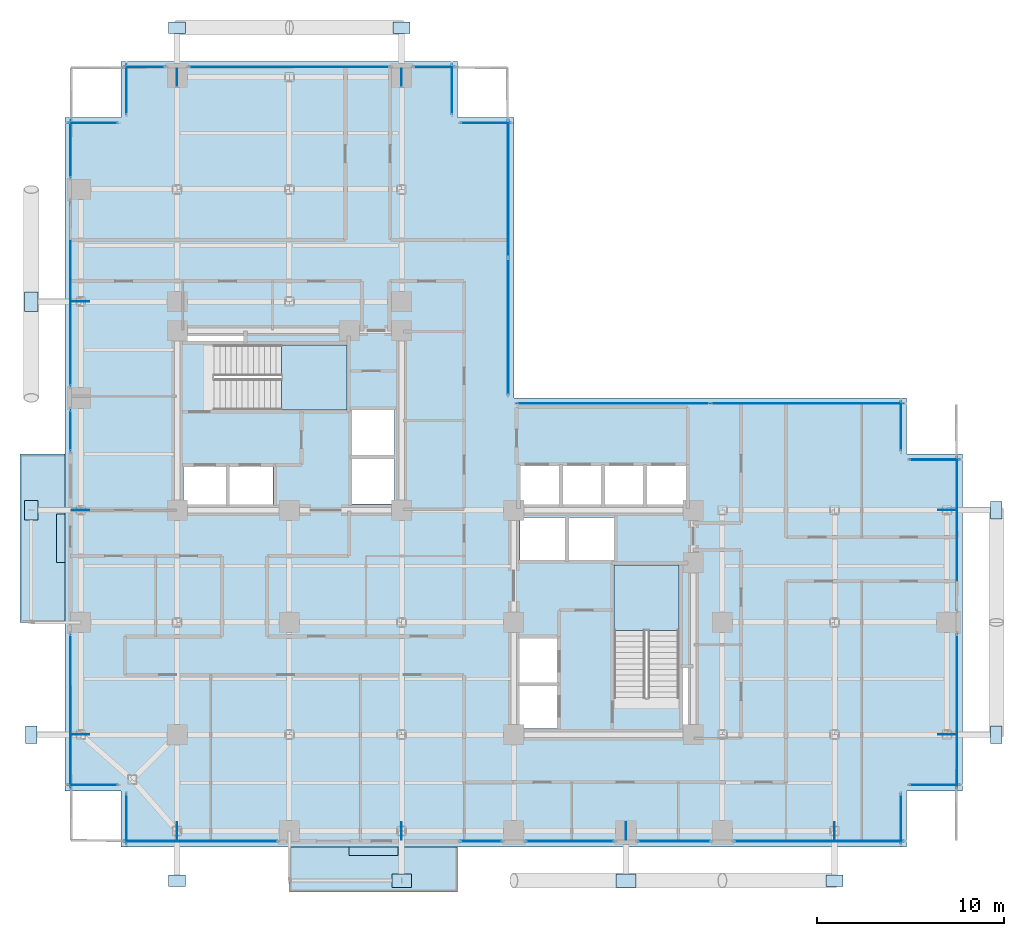
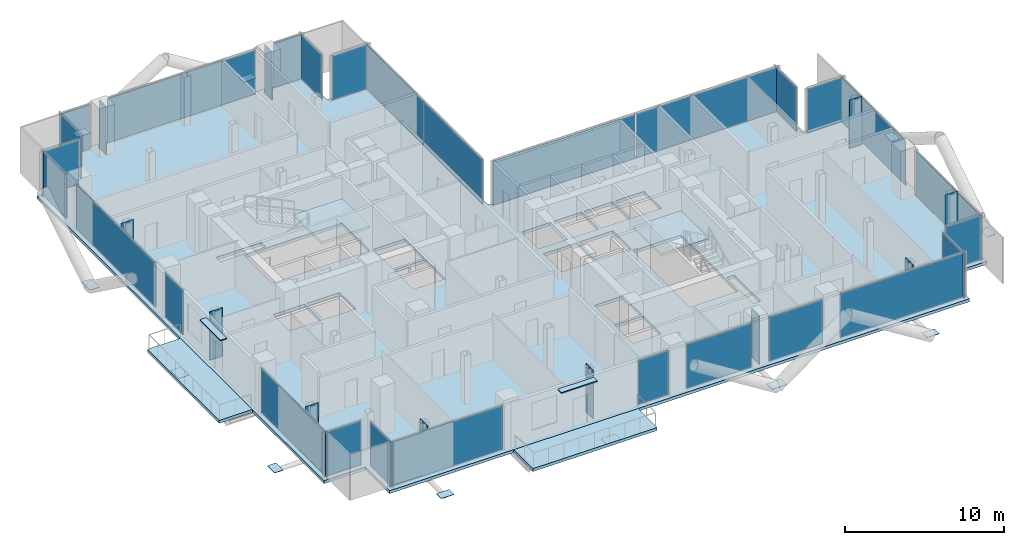
# One storey, part 17 of 24: 52 plates, 5 slabs, 28 elements without a shape of their own.
"""IFC4 building model written with IfcOpenShell, lengths in metres."""

from ifc_helpers import new_model, si_unit, direction, frame, origin, origin_2d, place, context, subcontext, project, spatial, polyline, rectangle, outline, extrude, material, layer, layer_set, type_object, element, aggregate, save


model = new_model("IFC4")

# Units and contexts
model_context = context("Model", 3, precision=1e-05, world=origin(), true_north=direction((0.0, 1.0)))
body_context = subcontext(model_context, "Body", "Model", "MODEL_VIEW")
ifc_project = project(units=[si_unit("LENGTHUNIT", "METRE"), si_unit("AREAUNIT", "SQUARE_METRE"), si_unit("VOLUMEUNIT", "CUBIC_METRE"), si_unit("PLANEANGLEUNIT", "RADIAN"), si_unit("MASSUNIT", "GRAM", prefix="KILO"), si_unit("THERMODYNAMICTEMPERATUREUNIT", "KELVIN"), si_unit("POWERUNIT", "WATT")], contexts=[model_context])

# Site, building, storey
site_placement = place(None, origin())
site = spatial("IfcSite", under=ifc_project, at=site_placement, CompositionType="ELEMENT")
building_placement = place(site_placement, origin())
building = spatial("IfcBuilding", under=site, at=building_placement, Name="Svarakhadi Broadcast Tower", CompositionType="ELEMENT")
storey_placement = place(building_placement, frame((0.0, 0.0, 141.89990234375)))
storey = spatial("IfcBuildingStorey", under=building, at=storey_placement, Name="L34", CompositionType="ELEMENT", Elevation=141.89990234375)

# Curtain wall, plate
ifc_material_1 = material(Name="Anodised Bronze Aluminium AA 6063-T6", Category="aluminium")
ifc_layer_1 = layer(ifc_material_1, 0.199951171875)
ifc_layer_set_1 = layer_set([ifc_layer_1], Name="Anodised Bronze Aluminium AA 6063-T6")
curtain_wall_type = type_object("IfcCurtainWallType", Name="CW_Sys_03", PredefinedType="NOTDEFINED", material=ifc_layer_set_1)
curtain_wall_1_placement = place(storey_placement, origin())
curtain_wall_1 = element("IfcCurtainWall", 1, at=curtain_wall_1_placement, inside=storey, type_object=curtain_wall_type, Name="L34 Unitised Facade Curtain Wall 01", PredefinedType="NOTDEFINED")
ifc_material_2 = material(Name="Double Low-E Laminated Acoustic Glass IGU 36 mm", Category="glass")
ifc_layer_2 = layer(ifc_material_2, 0.035888671875)
ifc_layer_set_2 = layer_set([ifc_layer_2], Name="Double Low-E Laminated Acoustic Glass IGU 36 mm")
plate_type_1 = type_object("IfcPlateType", Name="CW_Sys_03_Pnl", PredefinedType="CURTAIN_PANEL", material=ifc_layer_set_2)
plate_1_placement = place(storey_placement, frame((1.5, 3.300048828125, 0.0703125), z_axis=(0.0, 0.0, 1.0), x_axis=(-1.0, 0.0, 0.0)))
plate_1 = element("IfcPlate", 2, at=plate_1_placement, type_object=plate_type_1, Name="CW-03 panel 1.1", PredefinedType="CURTAIN_PANEL", context=body_context, shape_type="SweptSolid", body=[
    extrude(rectangle(XDim=2.669921875, YDim=0.035888671875, at=origin_2d()), origin(), (0.0, 0.0, 1.0), 3.385009765625),
])
aggregate(curtain_wall_1, [plate_1])

curtain_wall_2_placement = place(storey_placement, origin())
curtain_wall_2 = element("IfcCurtainWall", 3, at=curtain_wall_2_placement, inside=storey, type_object=curtain_wall_type, Name="L34 West Curtain Wall 02", PredefinedType="NOTDEFINED")
plate_2_placement = place(storey_placement, frame((0.300048828125, 7.260009765625, 0.0703125), z_axis=(0.0, 0.0, 1.0), x_axis=(0.0, 1.0, 0.0)))
plate_2 = element("IfcPlate", 4, at=plate_2_placement, type_object=plate_type_1, Name="CW-03 panel 1.1", PredefinedType="CURTAIN_PANEL", context=body_context, shape_type="SweptSolid", body=[
    extrude(rectangle(XDim=8.18994140625, YDim=0.035888671875, at=origin_2d()), origin(), (0.0, 0.0, 1.0), 3.385009765625),
])
aggregate(curtain_wall_2, [plate_2])

curtain_wall_3_placement = place(storey_placement, origin())
curtain_wall_3 = element("IfcCurtainWall", 5, at=curtain_wall_3_placement, inside=storey, type_object=curtain_wall_type, Name="L34 West Curtain Wall 03 Bay 1", PredefinedType="NOTDEFINED")
plate_3_placement = place(storey_placement, frame((0.300048828125, 22.260009765625, 0.0703125), z_axis=(0.0, 0.0, 1.0), x_axis=(0.0, 1.0, 0.0)))
plate_3 = element("IfcPlate", 6, at=plate_3_placement, type_object=plate_type_1, Name="CW-03 panel 1.1", PredefinedType="CURTAIN_PANEL", context=body_context, shape_type="SweptSolid", body=[
    extrude(rectangle(XDim=2.18994140625, YDim=0.035888671875, at=origin_2d()), origin(), (0.0, 0.0, 1.0), 3.385009765625),
])
aggregate(curtain_wall_3, [plate_3])

curtain_wall_4_placement = place(storey_placement, origin())
curtain_wall_4 = element("IfcCurtainWall", 7, at=curtain_wall_4_placement, inside=storey, type_object=curtain_wall_type, Name="L34 West Curtain Wall 03 Bay 2", PredefinedType="NOTDEFINED")
plate_4_placement = place(storey_placement, frame((0.300048828125, 29.574951171875, 0.0703125), z_axis=(0.0, 0.0, 1.0), x_axis=(0.0, 1.0, 0.0)))
plate_4 = element("IfcPlate", 8, at=plate_4_placement, type_object=plate_type_1, Name="CW-03 panel 1.1", PredefinedType="CURTAIN_PANEL", context=body_context, shape_type="SweptSolid", body=[
    extrude(rectangle(XDim=9.860107421875, YDim=0.035888671875, at=origin_2d()), origin(), (0.0, 0.0, 1.0), 3.385009765625),
])
aggregate(curtain_wall_4, [plate_4])

curtain_wall_5_placement = place(storey_placement, origin())
curtain_wall_5 = element("IfcCurtainWall", 9, at=curtain_wall_5_placement, inside=storey, type_object=curtain_wall_type, Name="L34 West Curtain Wall 03 Bay 3", PredefinedType="NOTDEFINED")
plate_5_placement = place(storey_placement, frame((0.300048828125, 37.31494140625, 0.0703125), z_axis=(0.0, 0.0, 1.0), x_axis=(0.0, 1.0, 0.0)))
plate_5 = element("IfcPlate", 10, at=plate_5_placement, type_object=plate_type_1, Name="CW-03 panel 1.1", PredefinedType="CURTAIN_PANEL", context=body_context, shape_type="SweptSolid", body=[
    extrude(rectangle(XDim=3.0400390625, YDim=0.035888671875, at=origin_2d()), origin(), (0.0, 0.0, 1.0), 3.385009765625),
])
aggregate(curtain_wall_5, [plate_5])

curtain_wall_6_placement = place(storey_placement, origin())
curtain_wall_6 = element("IfcCurtainWall", 11, at=curtain_wall_6_placement, inside=storey, type_object=curtain_wall_type, Name="L34 Unitised Facade Curtain Wall 04", PredefinedType="NOTDEFINED")
plate_6_placement = place(storey_placement, frame((1.5, 38.699951171875, 0.0703125), z_axis=(0.0, 0.0, 1.0), x_axis=(1.0, 0.0, 0.0)))
plate_6 = element("IfcPlate", 12, at=plate_6_placement, type_object=plate_type_1, Name="CW-03 panel 1.1", PredefinedType="CURTAIN_PANEL", context=body_context, shape_type="SweptSolid", body=[
    extrude(rectangle(XDim=2.669921875, YDim=0.035888671875, at=origin_2d()), origin(), (0.0, 0.0, 1.0), 3.385009765625),
])
aggregate(curtain_wall_6, [plate_6])

curtain_wall_7_placement = place(storey_placement, origin())
curtain_wall_7 = element("IfcCurtainWall", 13, at=curtain_wall_7_placement, inside=storey, type_object=curtain_wall_type, Name="L34 Unitised Facade Curtain Wall 05", PredefinedType="NOTDEFINED")
plate_7_placement = place(storey_placement, frame((3.300048828125, 40.5, 0.0703125), z_axis=(0.0, 0.0, 1.0), x_axis=(0.0, 1.0, 0.0)))
plate_7 = element("IfcPlate", 14, at=plate_7_placement, type_object=plate_type_1, Name="CW-03 panel 1.1", PredefinedType="CURTAIN_PANEL", context=body_context, shape_type="SweptSolid", body=[
    extrude(rectangle(XDim=2.669921875, YDim=0.035888671875, at=origin_2d()), origin(), (0.0, 0.0, 1.0), 3.385009765625),
])
aggregate(curtain_wall_7, [plate_7])

curtain_wall_8_placement = place(storey_placement, origin())
curtain_wall_8 = element("IfcCurtainWall", 15, at=curtain_wall_8_placement, inside=storey, type_object=curtain_wall_type, Name="L34 Unitised Facade Curtain Wall 06 Bay 1", PredefinedType="NOTDEFINED")
plate_8_placement = place(storey_placement, frame((4.260009765625, 41.699951171875, 0.0703125), z_axis=(0.0, 0.0, 1.0), x_axis=(1.0, 0.0, 0.0)))
plate_8 = element("IfcPlate", 16, at=plate_8_placement, type_object=plate_type_1, Name="CW-03 panel 1.1", PredefinedType="CURTAIN_PANEL", context=body_context, shape_type="SweptSolid", body=[
    extrude(rectangle(XDim=2.18994140625, YDim=0.035888671875, at=origin_2d()), origin(), (0.0, 0.0, 1.0), 3.385009765625),
])
aggregate(curtain_wall_8, [plate_8])

curtain_wall_9_placement = place(storey_placement, origin())
curtain_wall_9 = element("IfcCurtainWall", 17, at=curtain_wall_9_placement, inside=storey, type_object=curtain_wall_type, Name="L34 Unitised Facade Curtain Wall 06 Bay 2", PredefinedType="NOTDEFINED")
plate_9_placement = place(storey_placement, frame((12.0, 41.699951171875, 0.0703125), z_axis=(0.0, 0.0, 1.0), x_axis=(1.0, 0.0, 0.0)))
plate_9 = element("IfcPlate", 18, at=plate_9_placement, type_object=plate_type_1, Name="CW-03 panel 1.1", PredefinedType="CURTAIN_PANEL", context=body_context, shape_type="SweptSolid", body=[
    extrude(rectangle(XDim=10.7099609375, YDim=0.035888671875, at=origin_2d()), origin(), (0.0, 0.0, 1.0), 3.385009765625),
])
aggregate(curtain_wall_9, [plate_9])

curtain_wall_10_placement = place(storey_placement, origin())
curtain_wall_10 = element("IfcCurtainWall", 19, at=curtain_wall_10_placement, inside=storey, type_object=curtain_wall_type, Name="L34 Unitised Facade Curtain Wall 06 Bay 3", PredefinedType="NOTDEFINED")
plate_10_placement = place(storey_placement, frame((19.739990234375, 41.699951171875, 0.0703125), z_axis=(0.0, 0.0, 1.0), x_axis=(1.0, 0.0, 0.0)))
plate_10 = element("IfcPlate", 20, at=plate_10_placement, type_object=plate_type_1, Name="CW-03 panel 1.1", PredefinedType="CURTAIN_PANEL", context=body_context, shape_type="SweptSolid", body=[
    extrude(rectangle(XDim=2.18994140625, YDim=0.035888671875, at=origin_2d()), origin(), (0.0, 0.0, 1.0), 3.385009765625),
])
aggregate(curtain_wall_10, [plate_10])

curtain_wall_11_placement = place(storey_placement, origin())
curtain_wall_11 = element("IfcCurtainWall", 21, at=curtain_wall_11_placement, inside=storey, type_object=curtain_wall_type, Name="L34 Unitised Facade Curtain Wall 07", PredefinedType="NOTDEFINED")
plate_11_placement = place(storey_placement, frame((20.699951171875, 40.5, 0.0703125), z_axis=(0.0, 0.0, 1.0), x_axis=(0.0, -1.0, 0.0)))
plate_11 = element("IfcPlate", 22, at=plate_11_placement, type_object=plate_type_1, Name="CW-03 panel 1.1", PredefinedType="CURTAIN_PANEL", context=body_context, shape_type="SweptSolid", body=[
    extrude(rectangle(XDim=2.669921875, YDim=0.035888671875, at=origin_2d()), origin(), (0.0, 0.0, 1.0), 3.385009765625),
])
aggregate(curtain_wall_11, [plate_11])

curtain_wall_12_placement = place(storey_placement, origin())
curtain_wall_12 = element("IfcCurtainWall", 23, at=curtain_wall_12_placement, inside=storey, type_object=curtain_wall_type, Name="L34 Unitised Facade Curtain Wall 08", PredefinedType="NOTDEFINED")
plate_12_placement = place(storey_placement, frame((22.5, 38.699951171875, 0.0703125), z_axis=(0.0, 0.0, 1.0), x_axis=(1.0, 0.0, 0.0)))
plate_12 = element("IfcPlate", 24, at=plate_12_placement, type_object=plate_type_1, Name="CW-03 panel 1.1", PredefinedType="CURTAIN_PANEL", context=body_context, shape_type="SweptSolid", body=[
    extrude(rectangle(XDim=2.669921875, YDim=0.035888671875, at=origin_2d()), origin(), (0.0, 0.0, 1.0), 3.385009765625),
])
aggregate(curtain_wall_12, [plate_12])

# Curtain wall, plates
curtain_wall_13_placement = place(storey_placement, origin())
curtain_wall_13 = element("IfcCurtainWall", 25, at=curtain_wall_13_placement, inside=storey, type_object=curtain_wall_type, Name="L34 Unitised Facade Curtain Wall 09", PredefinedType="NOTDEFINED")
plate_13_placement = place(storey_placement, frame((23.699951171875, 35.186279296875, 0.0703125), z_axis=(0.0, 0.0, 1.0), x_axis=(0.0, -1.0, 0.0)))
plate_13 = element("IfcPlate", 26, at=plate_13_placement, type_object=plate_type_1, Name="CW-03 panel 1.1", PredefinedType="CURTAIN_PANEL", context=body_context, shape_type="SweptSolid", body=[
    extrude(rectangle(XDim=7.297607421875, YDim=0.035888671875, at=origin_2d()), origin(), (0.0, 0.0, 1.0), 3.385009765625),
])
plate_14_placement = place(storey_placement, frame((23.699951171875, 27.813720703125, 0.0703125), z_axis=(0.0, 0.0, 1.0), x_axis=(0.0, -1.0, 0.0)))
plate_14 = element("IfcPlate", 27, at=plate_14_placement, type_object=plate_type_1, Name="CW-03 panel 2.1", PredefinedType="CURTAIN_PANEL", context=body_context, shape_type="SweptSolid", body=[
    extrude(rectangle(XDim=7.297607421875, YDim=0.035888671875, at=origin_2d()), origin(), (0.0, 0.0, 1.0), 3.385009765625),
])
aggregate(curtain_wall_13, [plate_13, plate_14])

curtain_wall_14_placement = place(storey_placement, origin())
curtain_wall_14 = element("IfcCurtainWall", 28, at=curtain_wall_14_placement, inside=storey, type_object=curtain_wall_type, Name="L34 Unitised Facade Curtain Wall 10", PredefinedType="NOTDEFINED")
plate_15_placement = place(storey_placement, frame((29.313720703125, 23.699951171875, 0.0703125), z_axis=(0.0, 0.0, 1.0), x_axis=(1.0, 0.0, 0.0)))
plate_15 = element("IfcPlate", 29, at=plate_15_placement, type_object=plate_type_1, Name="CW-03 panel 1.1", PredefinedType="CURTAIN_PANEL", context=body_context, shape_type="SweptSolid", body=[
    extrude(rectangle(XDim=10.297607421875, YDim=0.035888671875, at=origin_2d()), origin(), (0.0, 0.0, 1.0), 3.385009765625),
])
plate_16_placement = place(storey_placement, frame((39.686279296875, 23.699951171875, 0.0703125), z_axis=(0.0, 0.0, 1.0), x_axis=(1.0, 0.0, 0.0)))
plate_16 = element("IfcPlate", 30, at=plate_16_placement, type_object=plate_type_1, Name="CW-03 panel 2.1", PredefinedType="CURTAIN_PANEL", context=body_context, shape_type="SweptSolid", body=[
    extrude(rectangle(XDim=10.297607421875, YDim=0.035888671875, at=origin_2d()), origin(), (0.0, 0.0, 1.0), 3.385009765625),
])
aggregate(curtain_wall_14, [plate_15, plate_16])

# Curtain wall, plate
curtain_wall_15_placement = place(storey_placement, origin())
curtain_wall_15 = element("IfcCurtainWall", 31, at=curtain_wall_15_placement, inside=storey, type_object=curtain_wall_type, Name="L34 Unitised Facade Curtain Wall 11", PredefinedType="NOTDEFINED")
plate_17_placement = place(storey_placement, frame((44.699951171875, 22.5, 0.0703125), z_axis=(0.0, 0.0, 1.0), x_axis=(0.0, -1.0, 0.0)))
plate_17 = element("IfcPlate", 32, at=plate_17_placement, type_object=plate_type_1, Name="CW-03 panel 1.1", PredefinedType="CURTAIN_PANEL", context=body_context, shape_type="SweptSolid", body=[
    extrude(rectangle(XDim=2.669921875, YDim=0.035888671875, at=origin_2d()), origin(), (0.0, 0.0, 1.0), 3.385009765625),
])
aggregate(curtain_wall_15, [plate_17])

curtain_wall_16_placement = place(storey_placement, origin())
curtain_wall_16 = element("IfcCurtainWall", 33, at=curtain_wall_16_placement, inside=storey, type_object=curtain_wall_type, Name="L34 Unitised Facade Curtain Wall 12", PredefinedType="NOTDEFINED")
plate_18_placement = place(storey_placement, frame((46.5, 20.699951171875, 0.0703125), z_axis=(0.0, 0.0, 1.0), x_axis=(1.0, 0.0, 0.0)))
plate_18 = element("IfcPlate", 34, at=plate_18_placement, type_object=plate_type_1, Name="CW-03 panel 1.1", PredefinedType="CURTAIN_PANEL", context=body_context, shape_type="SweptSolid", body=[
    extrude(rectangle(XDim=2.669921875, YDim=0.035888671875, at=origin_2d()), origin(), (0.0, 0.0, 1.0), 3.385009765625),
])
aggregate(curtain_wall_16, [plate_18])

curtain_wall_17_placement = place(storey_placement, origin())
curtain_wall_17 = element("IfcCurtainWall", 35, at=curtain_wall_17_placement, inside=storey, type_object=curtain_wall_type, Name="L34 Unitised Facade Curtain Wall 13 Bay 1", PredefinedType="NOTDEFINED")
plate_19_placement = place(storey_placement, frame((47.699951171875, 16.739990234375, 0.0703125), z_axis=(0.0, 0.0, 1.0), x_axis=(0.0, -1.0, 0.0)))
plate_19 = element("IfcPlate", 36, at=plate_19_placement, type_object=plate_type_1, Name="CW-03 panel 1.1", PredefinedType="CURTAIN_PANEL", context=body_context, shape_type="SweptSolid", body=[
    extrude(rectangle(XDim=8.18994140625, YDim=0.035888671875, at=origin_2d()), origin(), (0.0, 0.0, 1.0), 3.385009765625),
])
aggregate(curtain_wall_17, [plate_19])

curtain_wall_18_placement = place(storey_placement, origin())
curtain_wall_18 = element("IfcCurtainWall", 37, at=curtain_wall_18_placement, inside=storey, type_object=curtain_wall_type, Name="L34 Unitised Facade Curtain Wall 13 Bay 2", PredefinedType="NOTDEFINED")
plate_20_placement = place(storey_placement, frame((47.699951171875, 7.260009765625, 0.0703125), z_axis=(0.0, 0.0, 1.0), x_axis=(0.0, -1.0, 0.0)))
plate_20 = element("IfcPlate", 38, at=plate_20_placement, type_object=plate_type_1, Name="CW-03 panel 1.1", PredefinedType="CURTAIN_PANEL", context=body_context, shape_type="SweptSolid", body=[
    extrude(rectangle(XDim=8.18994140625, YDim=0.035888671875, at=origin_2d()), origin(), (0.0, 0.0, 1.0), 3.385009765625),
])
aggregate(curtain_wall_18, [plate_20])

curtain_wall_19_placement = place(storey_placement, origin())
curtain_wall_19 = element("IfcCurtainWall", 39, at=curtain_wall_19_placement, inside=storey, type_object=curtain_wall_type, Name="L34 Unitised Facade Curtain Wall 14", PredefinedType="NOTDEFINED")
plate_21_placement = place(storey_placement, frame((46.5, 3.300048828125, 0.0703125), z_axis=(0.0, 0.0, 1.0), x_axis=(-1.0, 0.0, 0.0)))
plate_21 = element("IfcPlate", 40, at=plate_21_placement, type_object=plate_type_1, Name="CW-03 panel 1.1", PredefinedType="CURTAIN_PANEL", context=body_context, shape_type="SweptSolid", body=[
    extrude(rectangle(XDim=2.669921875, YDim=0.035888671875, at=origin_2d()), origin(), (0.0, 0.0, 1.0), 3.385009765625),
])
aggregate(curtain_wall_19, [plate_21])

curtain_wall_20_placement = place(storey_placement, origin())
curtain_wall_20 = element("IfcCurtainWall", 41, at=curtain_wall_20_placement, inside=storey, type_object=curtain_wall_type, Name="L34 Unitised Facade Curtain Wall 15", PredefinedType="NOTDEFINED")
plate_22_placement = place(storey_placement, frame((44.699951171875, 1.5, 0.0703125), z_axis=(0.0, 0.0, 1.0), x_axis=(0.0, -1.0, 0.0)))
plate_22 = element("IfcPlate", 42, at=plate_22_placement, type_object=plate_type_1, Name="CW-03 panel 1.1", PredefinedType="CURTAIN_PANEL", context=body_context, shape_type="SweptSolid", body=[
    extrude(rectangle(XDim=2.669921875, YDim=0.035888671875, at=origin_2d()), origin(), (0.0, 0.0, 1.0), 3.385009765625),
])
aggregate(curtain_wall_20, [plate_22])

curtain_wall_21_placement = place(storey_placement, origin())
curtain_wall_21 = element("IfcCurtainWall", 43, at=curtain_wall_21_placement, inside=storey, type_object=curtain_wall_type, Name="L34 South Curtain Wall 16 Bay 1", PredefinedType="NOTDEFINED")
plate_23_placement = place(storey_placement, frame((40.31494140625, 0.300048828125, 0.0703125), z_axis=(0.0, 0.0, 1.0), x_axis=(-1.0, 0.0, 0.0)))
plate_23 = element("IfcPlate", 44, at=plate_23_placement, type_object=plate_type_1, Name="CW-03 panel 1.1", PredefinedType="CURTAIN_PANEL", context=body_context, shape_type="SweptSolid", body=[
    extrude(rectangle(XDim=9.0400390625, YDim=0.035888671875, at=origin_2d()), origin(), (0.0, 0.0, 1.0), 3.385009765625),
])
aggregate(curtain_wall_21, [plate_23])

curtain_wall_22_placement = place(storey_placement, origin())
curtain_wall_22 = element("IfcCurtainWall", 45, at=curtain_wall_22_placement, inside=storey, type_object=curtain_wall_type, Name="L34 South Curtain Wall 16 Bay 2", PredefinedType="NOTDEFINED")
plate_24_placement = place(storey_placement, frame((32.574951171875, 0.300048828125, 0.0703125), z_axis=(0.0, 0.0, 1.0), x_axis=(-1.0, 0.0, 0.0)))
plate_24 = element("IfcPlate", 46, at=plate_24_placement, type_object=plate_type_1, Name="CW-03 panel 1.1", PredefinedType="CURTAIN_PANEL", context=body_context, shape_type="SweptSolid", body=[
    extrude(rectangle(XDim=3.860107421875, YDim=0.035888671875, at=origin_2d()), origin(), (0.0, 0.0, 1.0), 3.385009765625),
])
aggregate(curtain_wall_22, [plate_24])

curtain_wall_23_placement = place(storey_placement, origin())
curtain_wall_23 = element("IfcCurtainWall", 47, at=curtain_wall_23_placement, inside=storey, type_object=curtain_wall_type, Name="L34 South Curtain Wall 16 Bay 3", PredefinedType="NOTDEFINED")
plate_25_placement = place(storey_placement, frame((27.0, 0.300048828125, 0.0703125), z_axis=(0.0, 0.0, 1.0), x_axis=(-1.0, 0.0, 0.0)))
plate_25 = element("IfcPlate", 48, at=plate_25_placement, type_object=plate_type_1, Name="CW-03 panel 1.1", PredefinedType="CURTAIN_PANEL", context=body_context, shape_type="SweptSolid", body=[
    extrude(rectangle(XDim=4.7099609375, YDim=0.035888671875, at=origin_2d()), origin(), (0.0, 0.0, 1.0), 3.385009765625),
])
aggregate(curtain_wall_23, [plate_25])

curtain_wall_24_placement = place(storey_placement, origin())
curtain_wall_24 = element("IfcCurtainWall", 49, at=curtain_wall_24_placement, inside=storey, type_object=curtain_wall_type, Name="L34 South Curtain Wall 16 Bay 4", PredefinedType="NOTDEFINED")
plate_26_placement = place(storey_placement, frame((22.260009765625, 0.300048828125, 0.0703125), z_axis=(0.0, 0.0, 1.0), x_axis=(-1.0, 0.0, 0.0)))
plate_26 = element("IfcPlate", 50, at=plate_26_placement, type_object=plate_type_1, Name="CW-03 panel 1.1", PredefinedType="CURTAIN_PANEL", context=body_context, shape_type="SweptSolid", body=[
    extrude(rectangle(XDim=2.18994140625, YDim=0.035888671875, at=origin_2d()), origin(), (0.0, 0.0, 1.0), 3.385009765625),
])
aggregate(curtain_wall_24, [plate_26])

curtain_wall_25_placement = place(storey_placement, origin())
curtain_wall_25 = element("IfcCurtainWall", 51, at=curtain_wall_25_placement, inside=storey, type_object=curtain_wall_type, Name="L34 South Curtain Wall 17", PredefinedType="NOTDEFINED")
plate_27_placement = place(storey_placement, frame((7.260009765625, 0.300048828125, 0.0703125), z_axis=(0.0, 0.0, 1.0), x_axis=(-1.0, 0.0, 0.0)))
plate_27 = element("IfcPlate", 52, at=plate_27_placement, type_object=plate_type_1, Name="CW-03 panel 1.1", PredefinedType="CURTAIN_PANEL", context=body_context, shape_type="SweptSolid", body=[
    extrude(rectangle(XDim=8.18994140625, YDim=0.035888671875, at=origin_2d()), origin(), (0.0, 0.0, 1.0), 3.385009765625),
])
aggregate(curtain_wall_25, [plate_27])

curtain_wall_26_placement = place(storey_placement, origin())
curtain_wall_26 = element("IfcCurtainWall", 53, at=curtain_wall_26_placement, inside=storey, type_object=curtain_wall_type, Name="L34 Unitised Facade Curtain Wall 18", PredefinedType="NOTDEFINED")
plate_28_placement = place(storey_placement, frame((3.300048828125, 1.5, 0.0703125), z_axis=(0.0, 0.0, 1.0), x_axis=(0.0, 1.0, 0.0)))
plate_28 = element("IfcPlate", 54, at=plate_28_placement, type_object=plate_type_1, Name="CW-03 panel 1.1", PredefinedType="CURTAIN_PANEL", context=body_context, shape_type="SweptSolid", body=[
    extrude(rectangle(XDim=2.669921875, YDim=0.035888671875, at=origin_2d()), origin(), (0.0, 0.0, 1.0), 3.385009765625),
])
aggregate(curtain_wall_26, [plate_28])

# Plates
ifc_material_3 = material(Name="Steel S460ML (IS 2062 E450BR)", Category="steel")
ifc_layer_3 = layer(ifc_material_3, 0.031982421875)
ifc_layer_set_3 = layer_set([ifc_layer_3], Name="Steel S460ML (IS 2062 E450BR)")
plate_type_2 = type_object("IfcPlateType", Name="Node_Gusset_N02", PredefinedType="SHEET", material=ifc_layer_set_3)
for number, where, z_axis, x_axis, name in (
    (55, (18.0, -1.800048828125, -0.22509765625), (0.0, 0.0, 1.0), (1.0, 0.0, 0.0), "L34 Exoskeleton Gusset Node Plate S02"),
    (56, (30.0, -1.800048828125, -0.22509765625), (0.0, 0.0, 1.0), (1.0, 0.0, 0.0), "L34 Exoskeleton Gusset Node Plate S03"),
    (57, (-1.800048828125, 18.0, -0.22509765625), (0.0, 0.0, 1.0), (0.0, 1.0, 0.0), "L34 Exoskeleton Gusset Node Plate W06"),
    (58, (-1.800048828125, 29.14990234375, -0.22509765625), (0.0, 0.0, 1.0), (0.0, 1.0, 0.0), "L34 Exoskeleton Gusset Node Plate W07"),
):
    element("IfcPlate", number, at=place(storey_placement, frame(where, z_axis=z_axis, x_axis=x_axis)), inside=storey, type_object=plate_type_2, Name=name, PredefinedType="SHEET", context=body_context, shape_type="SweptSolid", body=[
        extrude(rectangle(XDim=1.050048828125, YDim=0.719970703125, at=origin_2d()), origin(), (0.0, 0.0, 1.0), 0.031982421875),
    ])
ifc_layer_4 = layer(ifc_material_3, 0.02587890625)
ifc_layer_set_4 = layer_set([ifc_layer_4], Name="Steel S460ML (IS 2062 E450BR)")
plate_type_3 = type_object("IfcPlateType", Name="Node_Gusset_N07", PredefinedType="SHEET", material=ifc_layer_set_4)
for number, where, z_axis, x_axis, name in (
    (59, (6.0, -1.800048828125, -0.224853515625), (0.0, 0.0, 1.0), (1.0, 0.0, 0.0), "L34 Exoskeleton Gusset Node Plate S01"),
    (60, (41.14990234375, -1.800048828125, -0.224853515625), (0.0, 0.0, 1.0), (1.0, 0.0, 0.0), "L34 Exoskeleton Gusset Node Plate S04"),
    (61, (-1.800048828125, 6.0, -0.224853515625), (0.0, 0.0, 1.0), (0.0, 1.0, 0.0), "L34 Exoskeleton Gusset Node Plate W05"),
    (62, (49.800048828125, 6.0, -0.224853515625), (0.0, 0.0, 1.0), (0.0, 1.0, 0.0), "L34 Exoskeleton Gusset Node Plate E08"),
    (63, (49.800048828125, 18.0, -0.224853515625), (0.0, 0.0, 1.0), (0.0, 1.0, 0.0), "L34 Exoskeleton Gusset Node Plate E09"),
    (64, (6.0, 43.800048828125, -0.224853515625), (0.0, 0.0, 1.0), (1.0, 0.0, 0.0), "L34 Exoskeleton Gusset Node Plate N10"),
    (65, (18.0, 43.800048828125, -0.224853515625), (0.0, 0.0, 1.0), (1.0, 0.0, 0.0), "L34 Exoskeleton Gusset Node Plate N11"),
):
    element("IfcPlate", number, at=place(storey_placement, frame(where, z_axis=z_axis, x_axis=x_axis)), inside=storey, type_object=plate_type_3, Name=name, PredefinedType="SHEET", context=body_context, shape_type="SweptSolid", body=[
        extrude(rectangle(XDim=0.919921875, YDim=0.6201171875, at=origin_2d()), origin(), (0.0, 0.0, 1.0), 0.02587890625),
    ])
for number, where, z_axis, x_axis, name in (
    (66, (6.0, 0.85009765625, -0.5869140625), (0.0, 0.0, 1.0), (0.0, 1.0, 0.0), "L34 Brace End Connection Gusset Plate N-07-E0276"),
    (67, (18.0, 0.85009765625, -0.5869140625), (0.0, 0.0, 1.0), (0.0, 1.0, 0.0), "L34 Brace End Connection Gusset Plate N-07-E0277"),
    (68, (30.0, 0.85009765625, -0.5869140625), (0.0, 0.0, 1.0), (0.0, 1.0, 0.0), "L34 Brace End Connection Gusset Plate N-07-E0278"),
    (69, (41.14990234375, 0.85009765625, -0.5869140625), (0.0, 0.0, 1.0), (0.0, 1.0, 0.0), "L34 Brace End Connection Gusset Plate N-07-E0279"),
    (70, (0.85009765625, 6.0, -0.5869140625), (0.0, 0.0, 1.0), (1.0, 0.0, 0.0), "L34 Brace End Connection Gusset Plate N-07-E0280"),
    (71, (0.85009765625, 18.0, -0.5869140625), (0.0, 0.0, 1.0), (1.0, 0.0, 0.0), "L34 Brace End Connection Gusset Plate N-07-E0281"),
    (72, (0.85009765625, 29.14990234375, -0.5869140625), (0.0, 0.0, 1.0), (1.0, 0.0, 0.0), "L34 Brace End Connection Gusset Plate N-07-E0282"),
    (73, (47.14990234375, 6.0, -0.5869140625), (0.0, 0.0, 1.0), (1.0, 0.0, 0.0), "L34 Brace End Connection Gusset Plate N-07-E0283"),
    (74, (47.14990234375, 18.0, -0.5869140625), (0.0, 0.0, 1.0), (1.0, 0.0, 0.0), "L34 Brace End Connection Gusset Plate N-07-E0284"),
    (75, (6.0, 41.14990234375, -0.5869140625), (0.0, 0.0, 1.0), (0.0, 1.0, 0.0), "L34 Brace End Connection Gusset Plate N-07-E0285"),
    (76, (18.0, 41.14990234375, -0.5869140625), (0.0, 0.0, 1.0), (0.0, 1.0, 0.0), "L34 Brace End Connection Gusset Plate N-07-E0286"),
):
    element("IfcPlate", number, at=place(storey_placement, frame(where, z_axis=z_axis, x_axis=x_axis)), inside=storey, type_object=plate_type_3, Name=name, PredefinedType="SHEET", context=body_context, shape_type="SweptSolid", body=[
        extrude(rectangle(XDim=0.919921875, YDim=0.02587890625, at=origin_2d()), origin(), (0.0, 0.0, 1.0), 4.300048828125),
    ])

# Slab
ifc_material_4 = material(Name="Concrete C40/50 (IS 456 M50)", Category="concrete")
ifc_layer_5 = layer(ifc_material_4, 0.22509765625)
ifc_layer_set_5 = layer_set([ifc_layer_5], Name="Concrete C40/50 (IS 456 M50)")
slab_type_1 = type_object("IfcSlabType", Name="Slab_Floor_225", PredefinedType="FLOOR", material=ifc_layer_set_5)
slab_1_placement = place(storey_placement, frame((0.0, 0.0, -0.224853515625)))
element("IfcSlab", 77, at=slab_1_placement, inside=storey, type_object=slab_type_1, Name="L34 Structural Floor Slab", PredefinedType="FLOOR", context=body_context, shape_type="SweptSolid", body=[
    extrude(outline(polyline([(3.0, 0.0), (45.0, 0.0), (45.0, 3.0), (48.0, 3.0), (48.0, 21.0), (45.0, 21.0), (45.0, 24.0), (24.0, 24.0), (24.0, 39.0), (21.0, 39.0), (21.0, 42.0), (3.0, 42.0), (3.0, 39.0), (0.0, 39.0), (0.0, 3.0), (3.0, 3.0), (3.0, 0.0)]), holes=[polyline([(7.97998046875, 23.360107421875), (15.080078125, 23.360107421875), (15.080078125, 26.840087890625), (7.97998046875, 26.840087890625), (7.97998046875, 23.360107421875)]), polyline([(32.840087890625, 7.97998046875), (32.840087890625, 15.080078125), (29.360107421875, 15.080078125), (29.360107421875, 7.97998046875), (32.840087890625, 7.97998046875)]), polyline([(6.340087890625, 18.2900390625), (8.610107421875, 18.2900390625), (8.610107421875, 20.330078125), (6.340087890625, 20.330078125), (6.340087890625, 18.2900390625)]), polyline([(8.7900390625, 18.2900390625), (11.1298828125, 18.2900390625), (11.1298828125, 20.330078125), (8.7900390625, 20.330078125), (8.7900390625, 18.2900390625)]), polyline([(24.2900390625, 6.340087890625), (26.330078125, 6.340087890625), (26.330078125, 8.610107421875), (24.2900390625, 8.610107421875), (24.2900390625, 6.340087890625)]), polyline([(24.2900390625, 8.7900390625), (26.330078125, 8.7900390625), (26.330078125, 11.1298828125), (24.2900390625, 11.1298828125), (24.2900390625, 8.7900390625)]), polyline([(6.340087890625, 26.989990234375), (9.610107421875, 26.989990234375), (9.610107421875, 27.530029296875), (6.340087890625, 27.530029296875), (6.340087890625, 26.989990234375)]), polyline([(32.989990234375, 6.340087890625), (33.530029296875, 6.340087890625), (33.530029296875, 9.610107421875), (32.989990234375, 9.610107421875), (32.989990234375, 6.340087890625)]), polyline([(15.340087890625, 18.340087890625), (17.610107421875, 18.340087890625), (17.610107421875, 20.760009765625), (15.340087890625, 20.760009765625), (15.340087890625, 18.340087890625)]), polyline([(15.340087890625, 20.93994140625), (17.610107421875, 20.93994140625), (17.610107421875, 23.360107421875), (15.340087890625, 23.360107421875), (15.340087890625, 20.93994140625)]), polyline([(24.340087890625, 15.340087890625), (26.760009765625, 15.340087890625), (26.760009765625, 17.610107421875), (24.340087890625, 17.610107421875), (24.340087890625, 15.340087890625)]), polyline([(26.93994140625, 15.340087890625), (29.360107421875, 15.340087890625), (29.360107421875, 17.610107421875), (26.93994140625, 17.610107421875), (26.93994140625, 15.340087890625)]), polyline([(24.340087890625, 18.239990234375), (26.429931640625, 18.239990234375), (26.429931640625, 20.360107421875), (24.340087890625, 20.360107421875), (24.340087890625, 18.239990234375)]), polyline([(26.610107421875, 18.239990234375), (28.679931640625, 18.239990234375), (28.679931640625, 20.360107421875), (26.610107421875, 20.360107421875), (26.610107421875, 18.239990234375)]), polyline([(28.860107421875, 18.239990234375), (30.929931640625, 18.239990234375), (30.929931640625, 20.360107421875), (28.860107421875, 20.360107421875), (28.860107421875, 18.239990234375)]), polyline([(31.110107421875, 18.239990234375), (33.2099609375, 18.239990234375), (33.2099609375, 20.360107421875), (31.110107421875, 20.360107421875), (31.110107421875, 18.239990234375)])]), origin(), (0.0, 0.0, 1.0), 0.224853515625),
])

# Stair, slab
stair_type = type_object("IfcStairType", Name="Stair_Exit_Core", PredefinedType="HALF_TURN_STAIR", material=ifc_material_4)
stair_1_placement = place(storey_placement, origin())
stair_1 = element("IfcStair", 78, at=stair_1_placement, inside=storey, type_object=stair_type, Name="L34 West Core Protected Exit Stair ST-01", PredefinedType="HALF_TURN_STAIR")
ifc_layer_6 = layer(ifc_material_4, 0.199951171875)
ifc_layer_set_6 = layer_set([ifc_layer_6], Name="Concrete C40/50 (IS 456 M50)")
slab_type_2 = type_object("IfcSlabType", Name="Slab_Stair_Land", PredefinedType="LANDING", material=ifc_layer_set_6)
slab_2_placement = place(storey_placement, frame((0.0, 0.0, 1.675048828125)))
slab_2 = element("IfcSlab", 79, at=slab_2_placement, type_object=slab_type_2, Name="ST-01 landing 1", PredefinedType="LANDING", context=body_context, shape_type="SweptSolid", body=[
    extrude(outline(polyline([(11.580078125, 23.360107421875), (15.080078125, 23.360107421875), (15.080078125, 26.840087890625), (11.580078125, 26.840087890625), (11.580078125, 23.360107421875)])), origin(), (0.0, 0.0, 1.0), 0.199951171875),
])
aggregate(stair_1, [slab_2])

stair_2_placement = place(storey_placement, origin())
stair_2 = element("IfcStair", 80, at=stair_2_placement, inside=storey, type_object=stair_type, Name="L34 East Core Protected Exit Stair ST-02", PredefinedType="HALF_TURN_STAIR")
slab_3_placement = place(storey_placement, frame((0.0, 0.0, 1.675048828125)))
slab_3 = element("IfcSlab", 81, at=slab_3_placement, type_object=slab_type_2, Name="ST-02 landing 1", PredefinedType="LANDING", context=body_context, shape_type="SweptSolid", body=[
    extrude(outline(polyline([(32.840087890625, 11.580078125), (32.840087890625, 15.080078125), (29.360107421875, 15.080078125), (29.360107421875, 11.580078125), (32.840087890625, 11.580078125)])), origin(), (0.0, 0.0, 1.0), 0.199951171875),
])
aggregate(stair_2, [slab_3])

# Slabs
ifc_layer_7 = layer(ifc_material_4, 0.22509765625)
ifc_layer_set_7 = layer_set([ifc_layer_7], Name="Concrete C40/50 (IS 456 M50)")
slab_type_3 = type_object("IfcSlabType", Name="Slab_TreeBalcony", PredefinedType="FLOOR", material=ifc_layer_set_7)
slab_4_placement = place(storey_placement, frame((0.0, 0.0, -0.224853515625)))
element("IfcSlab", 82, at=slab_4_placement, inside=storey, type_object=slab_type_3, Name="L34 Planted Tree Balcony Slab BAL-S", PredefinedType="FLOOR", context=body_context, shape_type="SweptSolid", body=[
    extrude(outline(polyline([(12.0, -2.39990234375), (21.0, -2.39990234375), (21.0, 0.0), (12.0, 0.0), (12.0, -2.39990234375)])), origin(), (0.0, 0.0, 1.0), 0.224853515625),
])
slab_5_placement = place(storey_placement, frame((0.0, 0.0, -0.224853515625)))
element("IfcSlab", 83, at=slab_5_placement, inside=storey, type_object=slab_type_3, Name="L34 Planted Tree Balcony Slab BAL-W", PredefinedType="FLOOR", context=body_context, shape_type="SweptSolid", body=[
    extrude(outline(polyline([(-2.39990234375, 12.0), (0.0, 12.0), (0.0, 21.0), (-2.39990234375, 21.0), (-2.39990234375, 12.0)])), origin(), (0.0, 0.0, 1.0), 0.224853515625),
])

# Plates
ifc_layer_8 = layer(ifc_material_1, 0.080078125)
ifc_layer_set_8 = layer_set([ifc_layer_8], Name="Anodised Bronze Aluminium AA 6063-T6")
plate_type_4 = type_object("IfcPlateType", Name="Sunshade_Fin_SS01", PredefinedType="USERDEFINED", material=ifc_layer_set_8)
for number, where, z_axis, x_axis, name in (
    (84, (16.5, -0.22509765625, 3.445068359375), (0.0, 0.0, 1.0), (1.0, 0.0, 0.0), "L34 South Bronze Brise-Soleil Sunshade SS-01"),
    (85, (-0.22509765625, 16.5, 3.445068359375), (0.0, 0.0, 1.0), (0.0, 1.0, 0.0), "L34 West Bronze Brise-Soleil Sunshade SS-01"),
):
    element("IfcPlate", number, at=place(storey_placement, frame(where, z_axis=z_axis, x_axis=x_axis)), inside=storey, type_object=plate_type_4, Name=name, ObjectType="SUNSHADE", PredefinedType="USERDEFINED", context=body_context, shape_type="SweptSolid", body=[
        extrude(rectangle(XDim=2.60009765625, YDim=0.449951171875, at=origin_2d()), origin(), (0.0, 0.0, 1.0), 0.080078125),
    ])

save(model, "model.ifc")
